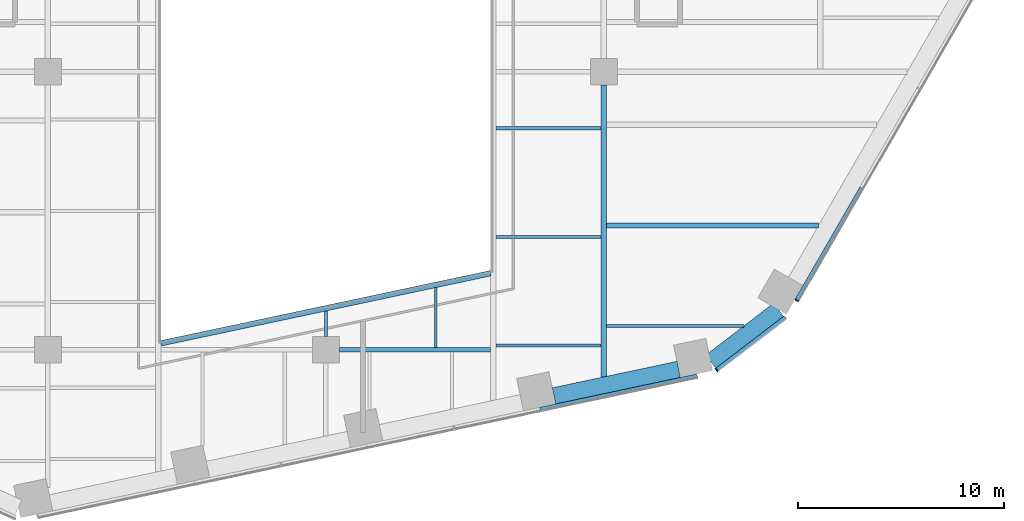
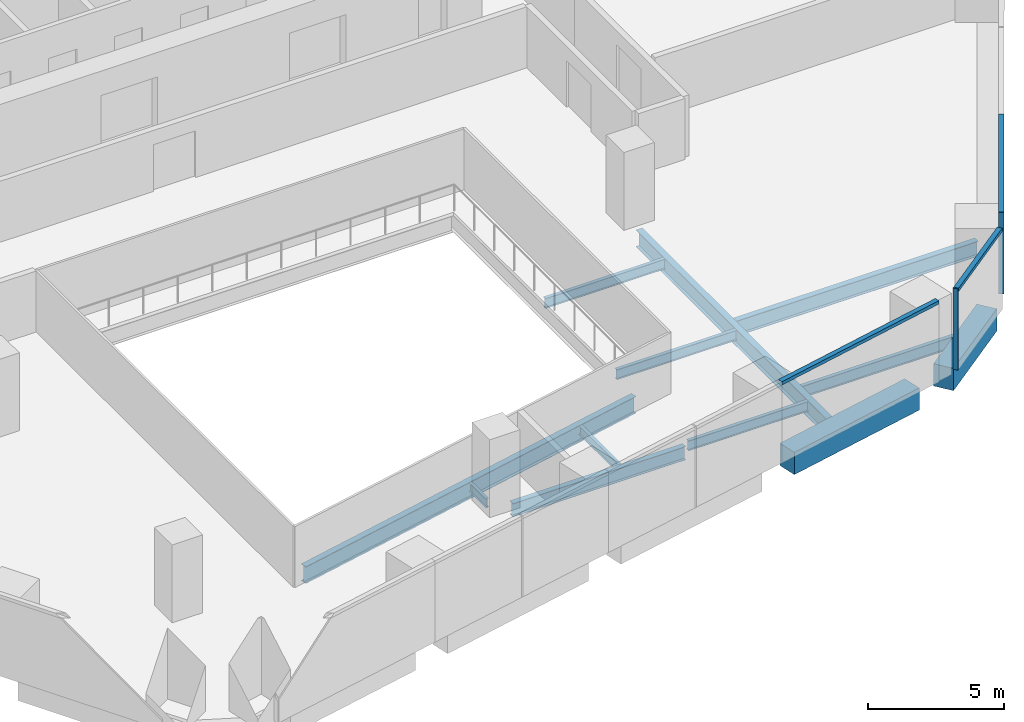
# One storey, part 5 of 19: 12 beams, 5 members, 3 elements without a shape of their own.
"""IFC4 building model written with IfcOpenShell, lengths in metres."""

from ifc_helpers import new_model, si_unit, direction, frame, origin, origin_2d, place, context, subcontext, project, spatial, rectangle, i_section, extrude, material, layer, layer_set, material_profile, profile_set, type_object, element, aggregate, save


model = new_model("IFC4")

# Units and contexts
model_context = context("Model", 3, precision=1e-05, world=origin(), true_north=direction((0.0, 1.0)))
body_context = subcontext(model_context, "Body", "Model", "MODEL_VIEW")
ifc_project = project(units=[si_unit("LENGTHUNIT", "METRE"), si_unit("AREAUNIT", "SQUARE_METRE"), si_unit("VOLUMEUNIT", "CUBIC_METRE"), si_unit("PLANEANGLEUNIT", "RADIAN"), si_unit("MASSUNIT", "GRAM", prefix="KILO")], contexts=[model_context])

# Site, building, storey
site_placement = place(None, origin())
site = spatial("IfcSite", under=ifc_project, at=site_placement, CompositionType="ELEMENT")
building_placement = place(site_placement, origin())
building = spatial("IfcBuilding", under=site, at=building_placement, Name="Isthmus Gate Tower", CompositionType="ELEMENT")
storey_placement = place(building_placement, frame((0.0, 0.0, 95.25)))
storey = spatial("IfcBuildingStorey", under=building, at=storey_placement, Name="L22", CompositionType="ELEMENT", Elevation=95.25)

# Curtain wall, member
ifc_material_1 = material(Name="Aluminium, pale champagne anodised", Category="aluminium")
ifc_layer = layer(ifc_material_1, 0.199951171875)
ifc_layer_set = layer_set([ifc_layer], Name="CW-1 UNITISED CURTAIN WALL 200 DEEP")
curtain_wall_type = type_object("IfcCurtainWallType", Name="CW-1 UNITISED CURTAIN WALL 200 DEEP", PredefinedType="NOTDEFINED", material=ifc_layer_set)
curtain_wall_1_placement = place(storey_placement, origin())
curtain_wall_1 = element("IfcCurtainWall", 1, at=curtain_wall_1_placement, inside=storey, type_object=curtain_wall_type, Name="CW-1 S-SE L22", PredefinedType="NOTDEFINED")
ifc_material_2 = material(Name="Aluminium, pale champagne anodised", Category="aluminium")
ifc_material_profile_1 = material_profile(ifc_material_2, rectangle(XDim=0.06005859375, YDim=0.199951171875, at=origin_2d()), Name="60x200")
ifc_profile_set_1 = profile_set([ifc_material_profile_1], Name="Aluminium, pale champagne anodised")
member_type_1 = type_object("IfcMemberType", Name="CW-1 MULLION 60 X 200", PredefinedType="MULLION", material=ifc_profile_set_1)
member_1_placement = place(storey_placement, frame((18.978759765625, -27.982421875, 0.0), z_axis=(0.0, 0.0, 1.0), x_axis=(0.794188594387, 0.607671355706, 0.0)))
member_1 = element("IfcMember", 2, at=member_1_placement, type_object=member_type_1, Name="CW-1 mullion", PredefinedType="MULLION", context=body_context, shape_type="SweptSolid", body=[
    extrude(rectangle(XDim=0.06005859375, YDim=0.199951171875, at=origin_2d()), origin(), (0.0, 0.0, 1.0), 3.64990234375),
])

curtain_wall_2_placement = place(storey_placement, origin())
curtain_wall_2 = element("IfcCurtainWall", 3, at=curtain_wall_2_placement, inside=storey, type_object=curtain_wall_type, Name="CW-1 SE L22", PredefinedType="NOTDEFINED")
member_2_placement = place(storey_placement, frame((22.863525390625, -24.599365234375, 0.0), z_axis=(0.0, 0.0, 1.0), x_axis=(0.5, 0.866025403784, 0.0)))
member_2 = element("IfcMember", 4, at=member_2_placement, type_object=member_type_1, Name="CW-1 mullion", PredefinedType="MULLION", context=body_context, shape_type="SweptSolid", body=[
    extrude(rectangle(XDim=0.06005859375, YDim=0.199951171875, at=origin_2d()), origin(), (0.0, 0.0, 1.0), 3.64990234375),
])

curtain_wall_3_placement = place(storey_placement, origin())
curtain_wall_3 = element("IfcCurtainWall", 5, at=curtain_wall_3_placement, inside=storey, type_object=curtain_wall_type, Name="CW-1 S L22", PredefinedType="NOTDEFINED")
ifc_material_3 = material(Name="Aluminium, pale champagne anodised", Category="aluminium")
ifc_material_profile_2 = material_profile(ifc_material_3, rectangle(XDim=0.199951171875, YDim=0.14990234375, at=origin_2d()), Name="200x150")
ifc_profile_set_2 = profile_set([ifc_material_profile_2], Name="Aluminium, pale champagne anodised")
member_type_2 = type_object("IfcMemberType", Name="CW-1 TRANSOM 200 X 150", PredefinedType="USERDEFINED", material=ifc_profile_set_2)
member_3_placement = place(storey_placement, frame((10.400146484375, -29.8916015625, 3.574951171875), z_axis=(0.978150565745, 0.207897741047, 0.0), x_axis=(-0.207897741047, 0.978150565745, 0.0)))
member_3 = element("IfcMember", 6, at=member_3_placement, type_object=member_type_2, Name="CW-1 transom", ObjectType="TRANSOM", PredefinedType="USERDEFINED", context=body_context, shape_type="SweptSolid", body=[
    extrude(rectangle(XDim=0.199951171875, YDim=0.14990234375, at=origin_2d()), origin(), (0.0, 0.0, 1.0), 7.789306640625),
])
aggregate(curtain_wall_3, [member_3])

# Member
member_4_placement = place(storey_placement, frame((19.002685546875, -27.96435546875, 3.574951171875), z_axis=(0.794175498212, 0.607688471209, 0.0), x_axis=(-0.607688471209, 0.794175498212, 0.0)))
member_4 = element("IfcMember", 7, at=member_4_placement, type_object=member_type_2, Name="CW-1 transom", ObjectType="TRANSOM", PredefinedType="USERDEFINED", context=body_context, shape_type="SweptSolid", body=[
    extrude(rectangle(XDim=0.199951171875, YDim=0.14990234375, at=origin_2d()), origin(), (0.0, 0.0, 1.0), 4.181396484375),
])

aggregate(curtain_wall_1, [member_1, member_4])

member_5_placement = place(storey_placement, frame((22.87841796875, -24.5732421875, 3.574951171875), z_axis=(0.50002426866, 0.866011391814, 0.0), x_axis=(-0.866011391814, 0.50002426866, 0.0)))
member_5 = element("IfcMember", 8, at=member_5_placement, type_object=member_type_2, Name="CW-1 transom", ObjectType="TRANSOM", PredefinedType="USERDEFINED", context=body_context, shape_type="SweptSolid", body=[
    extrude(rectangle(XDim=0.199951171875, YDim=0.14990234375, at=origin_2d()), origin(), (0.0, 0.0, 1.0), 6.278564453125),
])

aggregate(curtain_wall_2, [member_2, member_5])

# Beams
ifc_material_4 = material(Name="Concrete f'c 70 MPa", Category="concrete")
ifc_material_profile_3 = material_profile(ifc_material_4, rectangle(XDim=0.800048828125, YDim=1.0, at=origin_2d()), Name="RC 800X1000")
ifc_profile_set_3 = profile_set([ifc_material_profile_3], Name="Concrete f'c 70 MPa")
beam_type_1 = type_object("IfcBeamType", Name="RC SPANDREL 800 X 1000", PredefinedType="SPANDREL", material=ifc_profile_set_3)
beam_1_placement = place(storey_placement, frame((21.98681640625, -25.051513671875, -0.5), z_axis=(-0.794205941875, -0.607648682949, 0.0), x_axis=(0.607648682949, -0.794205941875, 0.0)))
element("IfcBeam", 9, at=beam_1_placement, inside=storey, type_object=beam_type_1, Name="str-spandrel-L22-09", PredefinedType="SPANDREL", context=body_context, shape_type="SweptSolid", body=[
    extrude(rectangle(XDim=0.800048828125, YDim=1.0, at=origin_2d()), origin(), (0.0, 0.0, 1.0), 4.15234375),
])
beam_2_placement = place(storey_placement, frame((17.1328125, -27.949462890625, -0.5), z_axis=(-0.978147421176, -0.207912535568, 0.0), x_axis=(0.207912535568, -0.978147421176, 0.0)))
element("IfcBeam", 10, at=beam_2_placement, inside=storey, type_object=beam_type_1, Name="str-spandrel-L22-10", PredefinedType="SPANDREL", context=body_context, shape_type="SweptSolid", body=[
    extrude(rectangle(XDim=0.800048828125, YDim=1.0, at=origin_2d()), origin(), (0.0, 0.0, 1.0), 6.189453125),
])
ifc_material_5 = material(Name="Structural steel ASTM A992 Gr 50", Category="steel")
ifc_material_profile_4 = material_profile(ifc_material_5, i_section(OverallWidth=0.1396484375, OverallDepth=0.4033203125, WebThickness=0.00634765625, FlangeThickness=0.010986328125, at=origin_2d()), Name="W16X31")
ifc_profile_set_4 = profile_set([ifc_material_profile_4], Name="Structural steel ASTM A992 Gr 50")
beam_type_2 = type_object("IfcBeamType", Name="STEEL FLOOR BEAM W16X31", PredefinedType="JOIST", material=ifc_profile_set_4)
beam_3_placement = place(storey_placement, frame((0.0, -26.35009765625, -0.3515625), z_axis=(0.0, 1.0, 0.0), x_axis=(-1.0, 0.0, 0.0)))
element("IfcBeam", 11, at=beam_3_placement, inside=storey, type_object=beam_type_2, Name="str-beam-L22-18-00", PredefinedType="JOIST", context=body_context, shape_type="SweptSolid", body=[
    extrude(i_section(OverallWidth=0.1396484375, OverallDepth=0.4033203125, WebThickness=0.00634765625, FlangeThickness=0.010986328125, at=origin_2d()), origin(), (0.0, 0.0, 1.0), 1.23388671875),
])
beam_4_placement = place(storey_placement, frame((5.333251953125, -26.8857421875, -0.3515625), z_axis=(0.0, 1.0, 0.0), x_axis=(-1.0, 0.0, 0.0)))
element("IfcBeam", 12, at=beam_4_placement, inside=storey, type_object=beam_type_2, Name="str-beam-L22-18-01", PredefinedType="JOIST", context=body_context, shape_type="SweptSolid", body=[
    extrude(i_section(OverallWidth=0.1396484375, OverallDepth=0.4033203125, WebThickness=0.00634765625, FlangeThickness=0.010986328125, at=origin_2d()), origin(), (0.0, 0.0, 1.0), 2.903076171875),
])
ifc_material_6 = material(Name="Structural steel ASTM A992 Gr 50", Category="steel")
ifc_material_profile_5 = material_profile(ifc_material_6, i_section(OverallWidth=0.15234375, OverallDepth=0.45068359375, WebThickness=0.0078125, FlangeThickness=0.010986328125, at=origin_2d()), Name="W18X35")
ifc_profile_set_5 = profile_set([ifc_material_profile_5], Name="Structural steel ASTM A992 Gr 50")
beam_type_3 = type_object("IfcBeamType", Name="STEEL FLOOR BEAM W18X35", PredefinedType="JOIST", material=ifc_profile_set_5)
for number, where, z_axis, x_axis, name in (
    (13, (8.263427734375, -26.788818359375, -0.37548828125), (1.0, 0.0, 0.0), (0.0, 1.0, 0.0), "str-beam-L22-23-00"),
    (14, (8.263427734375, -21.51513671875, -0.37548828125), (1.0, 0.0, 0.0), (0.0, 1.0, 0.0), "str-beam-L22-23-01"),
    (15, (8.263427734375, -16.241455078125, -0.37548828125), (1.0, 0.0, 0.0), (0.0, 1.0, 0.0), "str-beam-L22-23-02"),
):
    element("IfcBeam", number, at=place(storey_placement, frame(where, z_axis=z_axis, x_axis=x_axis)), inside=storey, type_object=beam_type_3, Name=name, PredefinedType="JOIST", context=body_context, shape_type="SweptSolid", body=[
        extrude(i_section(OverallWidth=0.15234375, OverallDepth=0.45068359375, WebThickness=0.0078125, FlangeThickness=0.010986328125, at=origin_2d()), origin(), (0.0, 0.0, 1.0), 5.103271484375),
    ])
ifc_material_7 = material(Name="Structural steel ASTM A992 Gr 50", Category="steel")
ifc_material_profile_6 = material_profile(ifc_material_7, i_section(OverallWidth=0.1650390625, OverallDepth=0.52392578125, WebThickness=0.009521484375, FlangeThickness=0.010986328125, at=origin_2d()), Name="W21X44")
ifc_profile_set_6 = profile_set([ifc_material_profile_6], Name="Structural steel ASTM A992 Gr 50")
beam_type_4 = type_object("IfcBeamType", Name="STEEL FLOOR BEAM W21X44", PredefinedType="JOIST", material=ifc_profile_set_6)
beam_5_placement = place(storey_placement, frame((13.63330078125, -25.842529296875, -0.411865234375), z_axis=(1.0, 0.0, 0.0), x_axis=(0.0, 1.0, 0.0)))
element("IfcBeam", 16, at=beam_5_placement, inside=storey, type_object=beam_type_4, Name="str-beam-L22-28-00", PredefinedType="JOIST", context=body_context, shape_type="SweptSolid", body=[
    extrude(i_section(OverallWidth=0.1650390625, OverallDepth=0.52392578125, WebThickness=0.009521484375, FlangeThickness=0.010986328125, at=origin_2d()), origin(), (0.0, 0.0, 1.0), 6.661376953125),
])
ifc_material_8 = material(Name="Structural steel ASTM A992 Gr 50", Category="steel")
ifc_material_profile_7 = material_profile(ifc_material_8, i_section(OverallWidth=0.25390625, OverallDepth=0.679443359375, WebThickness=0.010986328125, FlangeThickness=0.015869140625, at=origin_2d()), Name="W27X84")
ifc_profile_set_7 = profile_set([ifc_material_profile_7], Name="Structural steel ASTM A992 Gr 50")
beam_type_5 = type_object("IfcBeamType", Name="STEEL FLOOR BEAM W27X84", PredefinedType="JOIST", material=ifc_profile_set_7)
beam_6_placement = place(storey_placement, frame((13.63330078125, -20.958740234375, -0.48974609375), z_axis=(1.0, 0.0, 0.0), x_axis=(0.0, 1.0, 0.0)))
element("IfcBeam", 17, at=beam_6_placement, inside=storey, type_object=beam_type_5, Name="str-beam-L22-28-01", PredefinedType="JOIST", context=body_context, shape_type="SweptSolid", body=[
    extrude(i_section(OverallWidth=0.25390625, OverallDepth=0.679443359375, WebThickness=0.010986328125, FlangeThickness=0.015869140625, at=origin_2d()), origin(), (0.0, 0.0, 1.0), 10.292724609375),
])
ifc_material_9 = material(Name="Structural steel ASTM A992 Gr 50", Category="steel")
ifc_material_profile_8 = material_profile(ifc_material_9, i_section(OverallWidth=0.228515625, OverallDepth=0.603271484375, WebThickness=0.010986328125, FlangeThickness=0.014404296875, at=origin_2d()), Name="W24X68")
ifc_profile_set_8 = profile_set([ifc_material_profile_8], Name="Structural steel ASTM A992 Gr 50")
beam_type_6 = type_object("IfcBeamType", Name="STEEL GIRDER W24X68", PredefinedType="BEAM", material=ifc_profile_set_8)
beam_7_placement = place(storey_placement, frame((0.64990234375, -27.0, -0.45166015625), z_axis=(1.0, 0.0, 0.0), x_axis=(0.0, 1.0, 0.0)))
element("IfcBeam", 18, at=beam_7_placement, inside=storey, type_object=beam_type_6, Name="str-girder-L22-04", PredefinedType="BEAM", context=body_context, shape_type="SweptSolid", body=[
    extrude(i_section(OverallWidth=0.228515625, OverallDepth=0.603271484375, WebThickness=0.010986328125, FlangeThickness=0.014404296875, at=origin_2d()), origin(), (0.0, 0.0, 1.0), 7.35009765625),
])
ifc_material_10 = material(Name="Structural steel ASTM A992 Gr 50", Category="steel")
ifc_material_profile_9 = material_profile(ifc_material_10, i_section(OverallWidth=0.2666015625, OverallDepth=0.7587890625, WebThickness=0.014404296875, FlangeThickness=0.01904296875, at=origin_2d()), Name="W30X108")
ifc_profile_set_9 = profile_set([ifc_material_profile_9], Name="Structural steel ASTM A992 Gr 50")
beam_type_7 = type_object("IfcBeamType", Name="STEEL GIRDER W30X108", PredefinedType="BEAM", material=ifc_profile_set_9)
beam_8_placement = place(storey_placement, frame((13.5, -28.3125, -0.529296875), z_axis=(0.0, 1.0, 0.0), x_axis=(-1.0, 0.0, 0.0)))
element("IfcBeam", 19, at=beam_8_placement, inside=storey, type_object=beam_type_7, Name="str-girder-L22-32", PredefinedType="BEAM", context=body_context, shape_type="SweptSolid", body=[
    extrude(i_section(OverallWidth=0.2666015625, OverallDepth=0.7587890625, WebThickness=0.014404296875, FlangeThickness=0.01904296875, at=origin_2d()), origin(), (0.0, 0.0, 1.0), 14.16259765625),
])
ifc_material_11 = material(Name="Structural steel ASTM A992 Gr 50", Category="steel")
ifc_material_profile_10 = material_profile(ifc_material_11, i_section(OverallWidth=0.2666015625, OverallDepth=0.7587890625, WebThickness=0.014404296875, FlangeThickness=0.01904296875, at=origin_2d()), Name="W30X108")
ifc_profile_set_10 = profile_set([ifc_material_profile_10], Name="Structural steel ASTM A992 Gr 50")
beam_type_8 = type_object("IfcBeamType", Name="STEEL TRIMMER W30X108", PredefinedType="BEAM", material=ifc_profile_set_10)
beam_9_placement = place(storey_placement, frame((-8.0, -26.680419921875, -0.529296875), z_axis=(0.978147924985, 0.20791016533, 0.0), x_axis=(-0.20791016533, 0.978147924985, 0.0)))
element("IfcBeam", 20, at=beam_9_placement, inside=storey, type_object=beam_type_8, Name="str-trimmer-L22-03", PredefinedType="BEAM", context=body_context, shape_type="SweptSolid", body=[
    extrude(i_section(OverallWidth=0.2666015625, OverallDepth=0.7587890625, WebThickness=0.014404296875, FlangeThickness=0.01904296875, at=origin_2d()), origin(), (0.0, 0.0, 1.0), 16.357421875),
])

save(model, "model.ifc")
